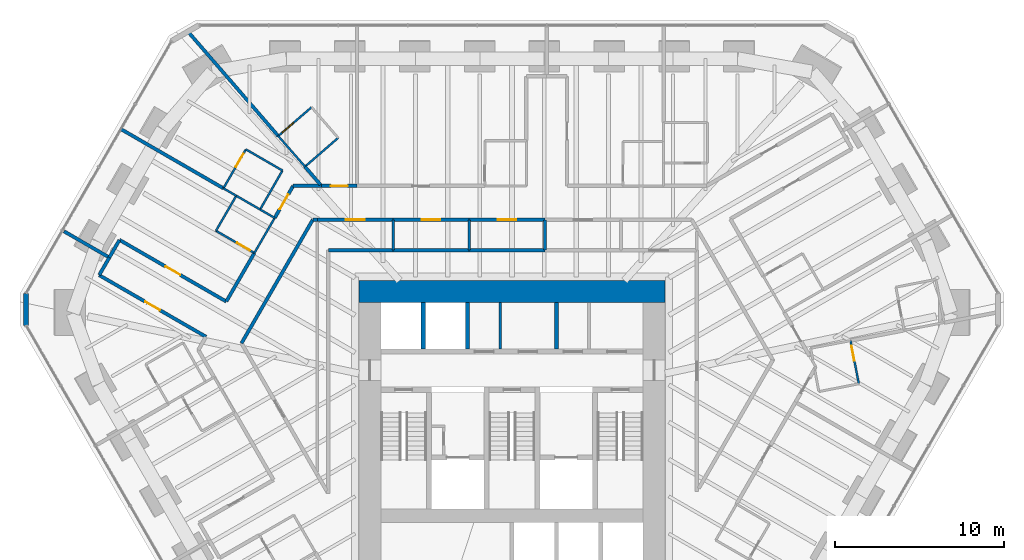
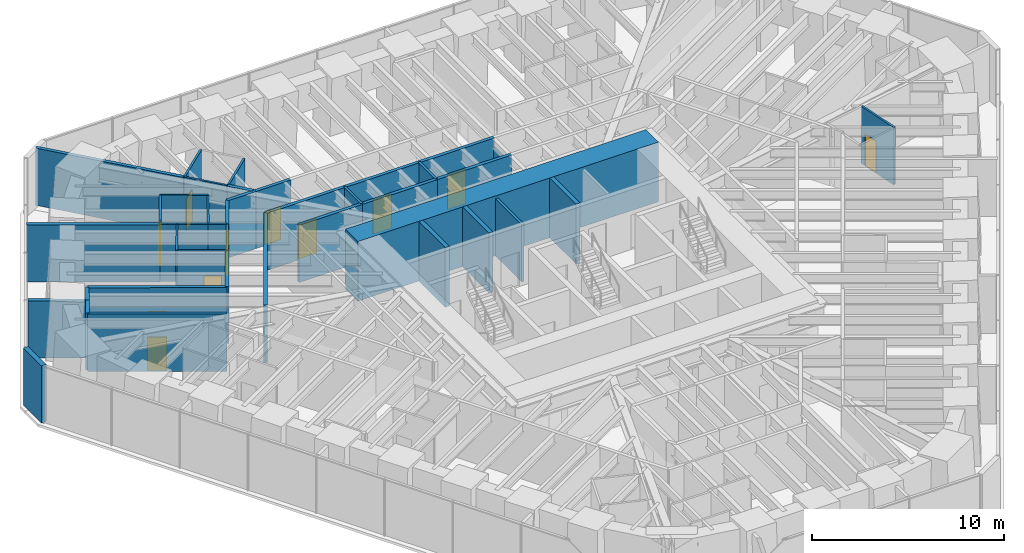
# One storey, part 14 of 17: 42 walls, 11 doors, 11 openings.
"""IFC4 building model written with IfcOpenShell, lengths in metres."""

from ifc_helpers import new_model, si_unit, direction, frame, frame_2d, origin, place, context, subcontext, project, spatial, rectangle, extrude, material, layer, layer_set, type_object, element, fill, save


model = new_model("IFC4")

# Units and contexts
model_context = context("Model", 3, precision=1e-05, world=origin(), true_north=direction((0.0, 1.0)))
body_context = subcontext(model_context, "Body", "Model", "MODEL_VIEW")
ifc_project = project(units=[si_unit("LENGTHUNIT", "METRE"), si_unit("AREAUNIT", "SQUARE_METRE"), si_unit("VOLUMEUNIT", "CUBIC_METRE"), si_unit("PLANEANGLEUNIT", "RADIAN"), si_unit("MASSUNIT", "GRAM", prefix="KILO")], contexts=[model_context])

# Site, building, storey
site_placement = place(None, origin())
site = spatial("IfcSite", under=ifc_project, at=site_placement, CompositionType="ELEMENT")
building_placement = place(site_placement, origin())
building = spatial("IfcBuilding", under=site, at=building_placement, Name="Sandreach Pilgrim Tower", CompositionType="ELEMENT")
storey_placement = place(building_placement, frame((0.0, 0.0, 161.39990234375)))
storey = spatial("IfcBuildingStorey", under=building, at=storey_placement, Name="L40", CompositionType="ELEMENT", Elevation=161.39990234375)

# Walls
ifc_material_1 = material(Name="Gypsum board on steel studs", Category="steel")
ifc_layer_1 = layer(ifc_material_1, 0.14990234375)
ifc_layer_set_1 = layer_set([ifc_layer_1], Name="Back of house wall 150")
wall_type_1 = type_object("IfcWallType", Name="Back of house wall 150", PredefinedType="PARTITIONING", material=ifc_layer_set_1)
for number, where, z_axis, x_axis, name in (
    (1, (-7.02001953125, 10.989990234375, 0.0), (0.0, 0.0, 1.0), (0.0, -1.0, 0.0), "Back of house wall L40-064"),
    (2, (-2.530029296875, 10.989990234375, 0.0), (0.0, 0.0, 1.0), (0.0, -1.0, 0.0), "Back of house wall L40-083"),
):
    element("IfcWall", number, at=place(storey_placement, frame(where, z_axis=z_axis, x_axis=x_axis)), inside=storey, type_object=wall_type_1, Name=name, PredefinedType="PARTITIONING", context=body_context, shape_type="SweptSolid", body=[
        extrude(rectangle(XDim=1.7900390625, YDim=0.14990234375, at=frame_2d((0.89501953125, 0.0))), origin(), (0.0, 0.0, 1.0), 3.64013671875),
    ])
wall_1_placement = place(storey_placement, frame((1.949951171875, 10.989990234375, 0.0), z_axis=(0.0, 0.0, 1.0), x_axis=(0.0, -1.0, 0.0)))
element("IfcWall", 3, at=wall_1_placement, inside=storey, type_object=wall_type_1, Name="Back of house wall L40-099", PredefinedType="PARTITIONING", context=body_context, shape_type="SweptSolid", body=[
    extrude(rectangle(XDim=1.7900390625, YDim=0.14990234375, at=frame_2d((0.89501953125, 0.0))), origin(), (0.0, 0.0, 1.0), 3.02294921875),
])
wall_2_placement = place(storey_placement, frame((-0.699951171875, 3.35009765625, 0.0), z_axis=(0.0, 0.0, 1.0), x_axis=(0.0, 1.0, 0.0)))
element("IfcWall", 4, at=wall_2_placement, inside=storey, type_object=wall_type_1, Name="Core room partition L40 1", PredefinedType="PARTITIONING", context=body_context, shape_type="SweptSolid", body=[
    extrude(rectangle(XDim=2.75, YDim=0.14990234375, at=frame_2d((1.375, 0.0))), origin(), (0.0, 0.0, 1.0), 3.64013671875),
])

# Wall, opening, door
ifc_material_2 = material(Name="Moisture-resistant gypsum board on steel studs", Category="steel")
ifc_layer_2 = layer(ifc_material_2, 0.1201171875)
ifc_layer_set_2 = layer_set([ifc_layer_2], Name="Bathroom partition 120")
wall_type_2 = type_object("IfcWallType", Name="Bathroom partition 120", PredefinedType="PARTITIONING", material=ifc_layer_set_2)
wall_3_placement = place(storey_placement, frame((-17.489990234375, 10.340087890625, 0.0), z_axis=(0.0, 0.0, 1.0), x_axis=(0.866114241029, -0.499846097802, 0.0)))
wall_3 = element("IfcWall", 5, at=wall_3_placement, inside=storey, type_object=wall_type_2, Name="Bathroom partition L40-022", PredefinedType="PARTITIONING", context=body_context, shape_type="SweptSolid", body=[
    extrude(rectangle(XDim=2.620849609375, YDim=0.1201171875, at=frame_2d((1.310546875, 0.0))), origin(), (0.0, 0.0, 1.0), 3.64013671875),
])
opening_1_placement = place(wall_3_placement, frame((1.4208984375, 0.0, 0.0)))
opening_1 = element("IfcOpeningElement", 6, at=opening_1_placement, cuts=wall_3, Name="Opening D09-17B", PredefinedType="OPENING", context=body_context, shape_type="SweptSolid", body=[
    extrude(rectangle(XDim=0.89990234375, YDim=2.030029296875, at=frame_2d((0.449951171875, 1.01513671875))), frame((0.0, 0.06005859375, 0.0), z_axis=(0.0, -1.0, 0.0), x_axis=(1.0, 0.0, 0.0)), (0.0, 0.0, 1.0), 0.1201171875),
])
ifc_material_3 = material(Name="Timber door, steel frame", Category="steel")
door_type_1 = type_object("IfcDoorType", Name="Bathroom door", OperationType="SINGLE_SWING_LEFT", PredefinedType="DOOR", material=ifc_material_3)
door_1_placement = place(opening_1_placement, origin())
door_1 = element("IfcDoor", 7, at=door_1_placement, inside=storey, type_object=door_type_1, Name="Door 4017B", OperationType="SINGLE_SWING_RIGHT", OverallHeight=2.030029296875, OverallWidth=0.89990234375, PredefinedType="DOOR", context=body_context, shape_type="SweptSolid", body=[
    extrude(rectangle(XDim=0.89990234375, YDim=2.030029296875, at=frame_2d((0.449951171875, 1.01513671875))), frame((0.0, 0.02490234375, 0.0), z_axis=(0.0, -1.0, 0.0), x_axis=(1.0, 0.0, 0.0)), (0.0, 0.0, 1.0), 0.050048828125),
])
fill(opening_1, door_1)

# Walls
wall_4_placement = place(storey_placement, frame((-17.050537109375, 12.849365234375, 0.0), z_axis=(0.0, 0.0, 1.0), x_axis=(0.865838315616, -0.500323906295, 0.0)))
element("IfcWall", 8, at=wall_4_placement, inside=storey, type_object=wall_type_2, Name="Bathroom partition L40-024", PredefinedType="PARTITIONING", context=body_context, shape_type="SweptSolid", body=[
    extrude(rectangle(XDim=0.87841796875, YDim=0.1201171875, at=frame_2d((0.439208984375, 0.0))), origin(), (0.0, 0.0, 1.0), 3.64013671875),
])
wall_5_placement = place(storey_placement, frame((-16.2900390625, 12.409912109375, 0.0), z_axis=(0.0, 0.0, 1.0), x_axis=(-0.501547039172, -0.865130376012, 0.0)))
element("IfcWall", 9, at=wall_5_placement, inside=storey, type_object=wall_type_2, Name="Bathroom partition L40-028", PredefinedType="PARTITIONING", context=body_context, shape_type="SweptSolid", body=[
    extrude(rectangle(XDim=2.392578125, YDim=0.1201171875, at=frame_2d((1.1962890625, 0.0))), origin(), (0.0, 0.0, 1.0), 3.64013671875),
])
wall_6_placement = place(storey_placement, frame((-16.2900390625, 12.409912109375, 0.0), z_axis=(0.0, 0.0, 1.0), x_axis=(0.866138091645, -0.499804768086, 0.0)))
element("IfcWall", 10, at=wall_6_placement, inside=storey, type_object=wall_type_2, Name="Bathroom partition L40-029", PredefinedType="PARTITIONING", context=body_context, shape_type="SweptSolid", body=[
    extrude(rectangle(XDim=1.626220703125, YDim=0.1201171875, at=frame_2d((0.81298828125, 0.0))), origin(), (0.0, 0.0, 1.0), 3.64013671875),
])

# Wall, opening, door
wall_7_placement = place(storey_placement, frame((-15.719970703125, 15.14990234375, 0.0), z_axis=(0.0, 0.0, 1.0), x_axis=(-0.500605174168, -0.865675724273, 0.0)))
wall_7 = element("IfcWall", 11, at=wall_7_placement, inside=storey, type_object=wall_type_2, Name="Bathroom partition L40-031", PredefinedType="PARTITIONING", context=body_context, shape_type="SweptSolid", body=[
    extrude(rectangle(XDim=2.656982421875, YDim=0.1201171875, at=frame_2d((1.32861328125, 0.0))), origin(), (0.0, 0.0, 1.0), 3.64013671875),
])
opening_2_placement = place(wall_7_placement, frame((0.300048828125, 0.0, 0.0)))
opening_2 = element("IfcOpeningElement", 12, at=opening_2_placement, cuts=wall_7, Name="Opening D09-18B", PredefinedType="OPENING", context=body_context, shape_type="SweptSolid", body=[
    extrude(rectangle(XDim=0.89990234375, YDim=2.030029296875, at=frame_2d((0.449951171875, 1.01513671875))), frame((0.0, 0.06005859375, 0.0), z_axis=(0.0, -1.0, 0.0), x_axis=(1.0, 0.0, 0.0)), (0.0, 0.0, 1.0), 0.1201171875),
])
door_2_placement = place(opening_2_placement, origin())
door_2 = element("IfcDoor", 13, at=door_2_placement, inside=storey, type_object=door_type_1, Name="Door 4018B", OperationType="SINGLE_SWING_LEFT", OverallHeight=2.030029296875, OverallWidth=0.89990234375, PredefinedType="DOOR", context=body_context, shape_type="SweptSolid", body=[
    extrude(rectangle(XDim=0.89990234375, YDim=2.030029296875, at=frame_2d((0.449951171875, 1.01513671875))), frame((0.0, 0.02490234375, 0.0), z_axis=(0.0, -1.0, 0.0), x_axis=(1.0, 0.0, 0.0)), (0.0, 0.0, 1.0), 0.050048828125),
])
fill(opening_2, door_2)

# Walls
wall_8_placement = place(storey_placement, frame((-15.219970703125, 9.030029296875, 0.0), z_axis=(0.0, 0.0, 1.0), x_axis=(0.501502765098, 0.865156041763, 0.0)))
element("IfcWall", 14, at=wall_8_placement, inside=storey, type_object=wall_type_2, Name="Bathroom partition L40-032", PredefinedType="PARTITIONING", context=body_context, shape_type="SweptSolid", body=[
    extrude(rectangle(XDim=2.392822265625, YDim=0.1201171875, at=frame_2d((1.1962890625, 0.0))), origin(), (0.0, 0.0, 1.0), 3.64013671875),
])
wall_9_placement = place(storey_placement, frame((-14.881591796875, 11.59716796875, 0.0), z_axis=(0.0, 0.0, 1.0), x_axis=(0.866181499781, -0.499729536286, 0.0)))
element("IfcWall", 15, at=wall_9_placement, inside=storey, type_object=wall_type_2, Name="Bathroom partition L40-034", PredefinedType="PARTITIONING", context=body_context, shape_type="SweptSolid", body=[
    extrude(rectangle(XDim=0.99462890625, YDim=0.1201171875, at=frame_2d((0.497314453125, 0.0))), origin(), (0.0, 0.0, 1.0), 3.64013671875),
])
wall_10_placement = place(storey_placement, frame((-14.8798828125, 11.60009765625, 0.0), z_axis=(0.0, 0.0, 1.0), x_axis=(0.497704656183, 0.867346571569, 0.0)))
element("IfcWall", 16, at=wall_10_placement, inside=storey, type_object=wall_type_2, Name="Bathroom partition L40-035", PredefinedType="PARTITIONING", context=body_context, shape_type="SweptSolid", body=[
    extrude(rectangle(XDim=2.65185546875, YDim=0.1201171875, at=frame_2d((1.325927734375, 0.0))), origin(), (0.0, 0.0, 1.0), 3.64013671875),
])
wall_11_placement = place(storey_placement, frame((-13.81005859375, 15.93994140625, 0.0), z_axis=(0.0, 0.0, 1.0), x_axis=(0.657626528627, -0.753344110514, 0.0)))
element("IfcWall", 17, at=wall_11_placement, inside=storey, type_object=wall_type_2, Name="Bathroom partition L40-039", PredefinedType="PARTITIONING", context=body_context, shape_type="SweptSolid", body=[
    extrude(rectangle(XDim=2.402587890625, YDim=0.1201171875, at=frame_2d((1.201171875, 0.0))), origin(), (0.0, 0.0, 1.0), 3.64013671875),
])
wall_12_placement = place(storey_placement, frame((-13.56005859375, 13.89990234375, 0.0), z_axis=(0.0, 0.0, 1.0), x_axis=(-0.865508881864, 0.500893576935, 0.0)))
element("IfcWall", 18, at=wall_12_placement, inside=storey, type_object=wall_type_2, Name="Bathroom partition L40-041", PredefinedType="PARTITIONING", context=body_context, shape_type="SweptSolid", body=[
    extrude(rectangle(XDim=2.49560546875, YDim=0.1201171875, at=frame_2d((1.247802734375, 0.0))), origin(), (0.0, 0.0, 1.0), 3.64013671875),
])
wall_13_placement = place(storey_placement, frame((-12.22998046875, 14.1298828125, 0.0), z_axis=(0.0, 0.0, 1.0), x_axis=(0.755390958893, 0.655274369423, 0.0)))
element("IfcWall", 19, at=wall_13_placement, inside=storey, type_object=wall_type_2, Name="Bathroom partition L40-045", PredefinedType="PARTITIONING", context=body_context, shape_type="SweptSolid", body=[
    extrude(rectangle(XDim=2.5947265625, YDim=0.1201171875, at=frame_2d((1.29736328125, 0.0))), origin(), (0.0, 0.0, 1.0), 3.64013671875),
])

# Wall, opening, door
wall_14_placement = place(storey_placement, frame((-11.840087890625, 17.639892578125, 0.0), z_axis=(0.0, 0.0, 1.0), x_axis=(-0.757086659925, -0.653314464377, 0.0)))
wall_14 = element("IfcWall", 20, at=wall_14_placement, inside=storey, type_object=wall_type_2, Name="Bathroom partition L40-046", PredefinedType="PARTITIONING", context=body_context, shape_type="SweptSolid", body=[
    extrude(rectangle(XDim=2.60205078125, YDim=0.1201171875, at=frame_2d((1.301025390625, 0.0))), origin(), (0.0, 0.0, 1.0), 3.64013671875),
])
opening_3_placement = place(wall_14_placement, frame((1.402099609375, 0.0, 0.0)))
opening_3 = element("IfcOpeningElement", 21, at=opening_3_placement, cuts=wall_14, Name="Opening D09-01B", PredefinedType="OPENING", context=body_context, shape_type="SweptSolid", body=[
    extrude(rectangle(XDim=0.89990234375, YDim=2.030029296875, at=frame_2d((0.449951171875, 1.01513671875))), frame((0.0, 0.06005859375, 0.0), z_axis=(0.0, -1.0, 0.0), x_axis=(1.0, 0.0, 0.0)), (0.0, 0.0, 1.0), 0.1201171875),
])
door_3_placement = place(opening_3_placement, origin())
door_3 = element("IfcDoor", 22, at=door_3_placement, inside=storey, type_object=door_type_1, Name="Door 4001B", OperationType="SINGLE_SWING_RIGHT", OverallHeight=2.030029296875, OverallWidth=0.89990234375, PredefinedType="DOOR", context=body_context, shape_type="SweptSolid", body=[
    extrude(rectangle(XDim=0.89990234375, YDim=2.030029296875, at=frame_2d((0.449951171875, 1.01513671875))), frame((0.0, 0.02490234375, 0.0), z_axis=(0.0, -1.0, 0.0), x_axis=(1.0, 0.0, 0.0)), (0.0, 0.0, 1.0), 0.050048828125),
])
fill(opening_3, door_3)

wall_15_placement = place(storey_placement, frame((20.489990234375, 1.300048828125, 0.0), z_axis=(0.0, 0.0, 1.0), x_axis=(-0.188697442844, 0.982035271802, 0.0)))
wall_15 = element("IfcWall", 23, at=wall_15_placement, inside=storey, type_object=wall_type_2, Name="Bathroom partition L40-174", PredefinedType="PARTITIONING", context=body_context, shape_type="SweptSolid", body=[
    extrude(rectangle(XDim=2.5966796875, YDim=0.1201171875, at=frame_2d((1.29833984375, 0.0))), origin(), (0.0, 0.0, 1.0), 3.64013671875),
])
opening_4_placement = place(wall_15_placement, frame((1.396728515625, 0.0, 0.0)))
opening_4 = element("IfcOpeningElement", 24, at=opening_4_placement, cuts=wall_15, Name="Opening D09-07B", PredefinedType="OPENING", context=body_context, shape_type="SweptSolid", body=[
    extrude(rectangle(XDim=0.89990234375, YDim=2.030029296875, at=frame_2d((0.449951171875, 1.01513671875))), frame((0.0, 0.06005859375, 0.0), z_axis=(0.0, -1.0, 0.0), x_axis=(1.0, 0.0, 0.0)), (0.0, 0.0, 1.0), 0.1201171875),
])
door_4_placement = place(opening_4_placement, origin())
door_4 = element("IfcDoor", 25, at=door_4_placement, inside=storey, type_object=door_type_1, Name="Door 4007B", OperationType="SINGLE_SWING_RIGHT", OverallHeight=2.030029296875, OverallWidth=0.89990234375, PredefinedType="DOOR", context=body_context, shape_type="SweptSolid", body=[
    extrude(rectangle(XDim=0.89990234375, YDim=2.030029296875, at=frame_2d((0.449951171875, 1.01513671875))), frame((0.0, 0.02490234375, 0.0), z_axis=(0.0, -1.0, 0.0), x_axis=(1.0, 0.0, 0.0)), (0.0, 0.0, 1.0), 0.050048828125),
])
fill(opening_4, door_4)

# Wall
ifc_material_4 = material(Name="Concrete 10000 psi", Category="concrete")
ifc_layer_3 = layer(ifc_material_4, 1.300048828125)
ifc_layer_set_3 = layer_set([ifc_layer_3], Name="Core wall 1300")
wall_type_3 = type_object("IfcWallType", Name="Core wall 1300", PredefinedType="SHEAR", material=ifc_layer_set_3)
wall_16_placement = place(storey_placement, frame((-9.050048828125, 6.75, 0.0), z_axis=(0.0, 0.0, 1.0), x_axis=(1.0, 0.0, 0.0)))
element("IfcWall", 26, at=wall_16_placement, inside=storey, type_object=wall_type_3, Name="Core wall N L40", PredefinedType="SHEAR", context=body_context, shape_type="SweptSolid", body=[
    extrude(rectangle(XDim=18.10009765625, YDim=1.300048828125, at=frame_2d((9.050048828125, 0.0))), origin(), (0.0, 0.0, 1.0), 3.800048828125),
])

# Wall, opening, door
ifc_material_5 = material(Name="Gypsum board on steel studs, two layers each side", Category="steel")
ifc_layer_4 = layer(ifc_material_5, 0.199951171875)
ifc_layer_set_4 = layer_set([ifc_layer_4], Name="Corridor wall 200")
wall_type_4 = type_object("IfcWallType", Name="Corridor wall 200", PredefinedType="PARTITIONING", material=ifc_layer_set_4)
wall_17_placement = place(storey_placement, frame((-24.389892578125, 7.719970703125, 0.0), z_axis=(0.0, 0.0, 1.0), x_axis=(0.86620846199, -0.499682799761, 0.0)))
wall_17 = element("IfcWall", 27, at=wall_17_placement, inside=storey, type_object=wall_type_4, Name="Corridor wall L40-003", PredefinedType="PARTITIONING", context=body_context, shape_type="SweptSolid", body=[
    extrude(rectangle(XDim=7.284423828125, YDim=0.199951171875, at=frame_2d((3.64208984375, 0.0))), origin(), (0.0, 0.0, 1.0), 3.64013671875),
])
opening_5_placement = place(wall_17_placement, frame((3.142333984375, 0.0, 0.0)))
opening_5 = element("IfcOpeningElement", 28, at=opening_5_placement, cuts=wall_17, Name="Opening D10-16", PredefinedType="OPENING", context=body_context, shape_type="SweptSolid", body=[
    extrude(rectangle(XDim=1.0, YDim=2.1298828125, at=frame_2d((0.5, 1.06494140625))), frame((0.0, 0.10009765625, 0.0), z_axis=(0.0, -1.0, 0.0), x_axis=(1.0, 0.0, 0.0)), (0.0, 0.0, 1.0), 0.199951171875),
])
ifc_material_6 = material(Name="Steel door and frame", Category="steel")
door_type_2 = type_object("IfcDoorType", Name="Guest room entry door", OperationType="SINGLE_SWING_LEFT", PredefinedType="DOOR", material=ifc_material_6)
door_5_placement = place(opening_5_placement, origin())
door_5 = element("IfcDoor", 29, at=door_5_placement, inside=storey, type_object=door_type_2, Name="Door 4016", OperationType="SINGLE_SWING_LEFT", OverallHeight=2.1298828125, OverallWidth=1.0, PredefinedType="DOOR", context=body_context, shape_type="SweptSolid", body=[
    extrude(rectangle(XDim=1.0, YDim=2.1298828125, at=frame_2d((0.5, 1.06494140625))), frame((0.0, 0.02490234375, 0.0), z_axis=(0.0, -1.0, 0.0), x_axis=(1.0, 0.0, 0.0)), (0.0, 0.0, 1.0), 0.050048828125),
])
fill(opening_5, door_5)

# Walls
wall_18_placement = place(storey_placement, frame((-23.7900390625, 8.760009765625, 0.0), z_axis=(0.0, 0.0, 1.0), x_axis=(-0.499704629046, -0.866195869137, 0.0)))
element("IfcWall", 30, at=wall_18_placement, inside=storey, type_object=wall_type_4, Name="Corridor wall L40-004", PredefinedType="PARTITIONING", context=body_context, shape_type="SweptSolid", body=[
    extrude(rectangle(XDim=1.185791015625, YDim=0.199951171875, at=frame_2d((0.5927734375, 0.0))), origin(), (0.0, 0.0, 1.0), 3.64013671875),
])
wall_19_placement = place(storey_placement, frame((-23.195068359375, 9.791259765625, 0.0), z_axis=(0.0, 0.0, 1.0), x_axis=(-0.499734288277, -0.866178758179, 0.0)))
element("IfcWall", 31, at=wall_19_placement, inside=storey, type_object=wall_type_4, Name="Corridor wall L40-005", PredefinedType="PARTITIONING", context=body_context, shape_type="SweptSolid", body=[
    extrude(rectangle(XDim=1.190673828125, YDim=0.199951171875, at=frame_2d((0.59521484375, 0.0))), origin(), (0.0, 0.0, 1.0), 3.64013671875),
])

# Wall, opening, door
wall_20_placement = place(storey_placement, frame((-16.8798828125, 6.159912109375, 0.0), z_axis=(0.0, 0.0, 1.0), x_axis=(-0.866202323954, 0.499693439997, 0.0)))
wall_20 = element("IfcWall", 32, at=wall_20_placement, inside=storey, type_object=wall_type_4, Name="Corridor wall L40-025", PredefinedType="PARTITIONING", context=body_context, shape_type="SweptSolid", body=[
    extrude(rectangle(XDim=7.28466796875, YDim=0.199951171875, at=frame_2d((3.642333984375, 0.0))), origin(), (0.0, 0.0, 1.0), 3.64013671875),
])
opening_6_placement = place(wall_20_placement, frame((3.142333984375, 0.0, 0.0)))
opening_6 = element("IfcOpeningElement", 33, at=opening_6_placement, cuts=wall_20, Name="Opening D10-17", PredefinedType="OPENING", context=body_context, shape_type="SweptSolid", body=[
    extrude(rectangle(XDim=1.0, YDim=2.1298828125, at=frame_2d((0.5, 1.06494140625))), frame((0.0, 0.10009765625, 0.0), z_axis=(0.0, -1.0, 0.0), x_axis=(1.0, 0.0, 0.0)), (0.0, 0.0, 1.0), 0.199951171875),
])
door_6_placement = place(opening_6_placement, origin())
door_6 = element("IfcDoor", 34, at=door_6_placement, inside=storey, type_object=door_type_2, Name="Door 4017", OperationType="SINGLE_SWING_LEFT", OverallHeight=2.1298828125, OverallWidth=1.0, PredefinedType="DOOR", context=body_context, shape_type="SweptSolid", body=[
    extrude(rectangle(XDim=1.0, YDim=2.1298828125, at=frame_2d((0.5, 1.06494140625))), frame((0.0, 0.02490234375, 0.0), z_axis=(0.0, -1.0, 0.0), x_axis=(1.0, 0.0, 0.0)), (0.0, 0.0, 1.0), 0.050048828125),
])
fill(opening_6, door_6)

# Walls
wall_21_placement = place(storey_placement, frame((-16.875, 6.168701171875, 0.0), z_axis=(0.0, 0.0, 1.0), x_axis=(0.500689767595, 0.865626799854, 0.0)))
element("IfcWall", 35, at=wall_21_placement, inside=storey, type_object=wall_type_4, Name="Corridor wall L40-026", PredefinedType="PARTITIONING", context=body_context, shape_type="SweptSolid", body=[
    extrude(rectangle(XDim=3.305419921875, YDim=0.199951171875, at=frame_2d((1.65283203125, 0.0))), origin(), (0.0, 0.0, 1.0), 3.64013671875),
])
wall_22_placement = place(storey_placement, frame((-15.97998046875, 3.699951171875, 0.0), z_axis=(0.0, 0.0, 1.0), x_axis=(0.500093981358, 0.865971136822, 0.0)))
element("IfcWall", 36, at=wall_22_placement, inside=storey, type_object=wall_type_4, Name="Corridor wall L40-030", PredefinedType="PARTITIONING", context=body_context, shape_type="SweptSolid", body=[
    extrude(rectangle(XDim=8.41845703125, YDim=0.199951171875, at=frame_2d((4.209228515625, 0.0))), origin(), (0.0, 0.0, 1.0), 3.64013671875),
])

# Wall, opening, door
wall_23_placement = place(storey_placement, frame((-14.02001953125, 11.10009765625, 0.0), z_axis=(0.0, 0.0, 1.0), x_axis=(0.499641723021, 0.866232156305, 0.0)))
wall_23 = element("IfcWall", 37, at=wall_23_placement, inside=storey, type_object=wall_type_4, Name="Corridor wall L40-038", PredefinedType="PARTITIONING", context=body_context, shape_type="SweptSolid", body=[
    extrude(rectangle(XDim=2.181640625, YDim=0.199951171875, at=frame_2d((1.0908203125, 0.0))), origin(), (0.0, 0.0, 1.0), 3.64013671875),
])
opening_7_placement = place(wall_23_placement, frame((0.5908203125, 0.0, 0.0)))
opening_7 = element("IfcOpeningElement", 38, at=opening_7_placement, cuts=wall_23, Name="Opening D10-18", PredefinedType="OPENING", context=body_context, shape_type="SweptSolid", body=[
    extrude(rectangle(XDim=1.0, YDim=2.1298828125, at=frame_2d((0.5, 1.06494140625))), frame((0.0, 0.10009765625, 0.0), z_axis=(0.0, -1.0, 0.0), x_axis=(1.0, 0.0, 0.0)), (0.0, 0.0, 1.0), 0.199951171875),
])
door_7_placement = place(opening_7_placement, origin())
door_7 = element("IfcDoor", 39, at=door_7_placement, inside=storey, type_object=door_type_2, Name="Door 4018", OperationType="SINGLE_SWING_LEFT", OverallHeight=2.1298828125, OverallWidth=1.0, PredefinedType="DOOR", context=body_context, shape_type="SweptSolid", body=[
    extrude(rectangle(XDim=1.0, YDim=2.1298828125, at=frame_2d((0.5, 1.06494140625))), frame((0.0, 0.02490234375, 0.0), z_axis=(0.0, -1.0, 0.0), x_axis=(1.0, 0.0, 0.0)), (0.0, 0.0, 1.0), 0.050048828125),
])
fill(opening_7, door_7)

# Wall
wall_24_placement = place(storey_placement, frame((-11.77001953125, 10.989990234375, 0.0), z_axis=(0.0, 0.0, 1.0), x_axis=(1.0, 0.0, 0.0)))
element("IfcWall", 40, at=wall_24_placement, inside=storey, type_object=wall_type_4, Name="Corridor wall L40-047", PredefinedType="PARTITIONING", context=body_context, shape_type="SweptSolid", body=[
    extrude(rectangle(XDim=0.27001953125, YDim=0.199951171875, at=frame_2d((0.135009765625, 0.0))), origin(), (0.0, 0.0, 1.0), 3.64013671875),
])

# Wall, opening, door
wall_25_placement = place(storey_placement, frame((-11.5, 10.989990234375, 0.0), z_axis=(0.0, 0.0, 1.0), x_axis=(1.0, 0.0, 0.0)))
wall_25 = element("IfcWall", 41, at=wall_25_placement, inside=storey, type_object=wall_type_4, Name="Corridor wall L40-051", PredefinedType="PARTITIONING", context=body_context, shape_type="SweptSolid", body=[
    extrude(rectangle(XDim=4.47998046875, YDim=0.199951171875, at=frame_2d((2.239990234375, 0.0))), origin(), (0.0, 0.0, 1.0), 3.64013671875),
])
opening_8_placement = place(wall_25_placement, frame((1.68994140625, 0.0, 0.0)))
opening_8 = element("IfcOpeningElement", 42, at=opening_8_placement, cuts=wall_25, Name="Opening D11H-M02", PredefinedType="OPENING", context=body_context, shape_type="SweptSolid", body=[
    extrude(rectangle(XDim=1.10009765625, YDim=2.199951171875, at=frame_2d((0.550048828125, 1.10009765625))), frame((0.0, 0.10009765625, 0.0), z_axis=(0.0, -1.0, 0.0), x_axis=(1.0, 0.0, 0.0)), (0.0, 0.0, 1.0), 0.199951171875),
])
ifc_material_7 = material(Name="Steel door and frame", Category="steel")
door_type_3 = type_object("IfcDoorType", Name="Back of house door", OperationType="SINGLE_SWING_LEFT", PredefinedType="DOOR", material=ifc_material_7)
door_8_placement = place(opening_8_placement, origin())
door_8 = element("IfcDoor", 43, at=door_8_placement, inside=storey, type_object=door_type_3, Name="Door 40M02", OperationType="SINGLE_SWING_LEFT", OverallHeight=2.199951171875, OverallWidth=1.10009765625, PredefinedType="DOOR", context=body_context, shape_type="SweptSolid", body=[
    extrude(rectangle(XDim=1.10009765625, YDim=2.199951171875, at=frame_2d((0.550048828125, 1.10009765625))), frame((0.0, 0.02490234375, 0.0), z_axis=(0.0, -1.0, 0.0), x_axis=(1.0, 0.0, 0.0)), (0.0, 0.0, 1.0), 0.050048828125),
])
fill(opening_8, door_8)

# Wall
wall_26_placement = place(storey_placement, frame((-11.25, 12.989990234375, 0.0), z_axis=(0.0, 0.0, 1.0), x_axis=(-1.0, 0.0, 0.0)))
element("IfcWall", 44, at=wall_26_placement, inside=storey, type_object=wall_type_4, Name="Corridor wall L40-052", PredefinedType="PARTITIONING", context=body_context, shape_type="SweptSolid", body=[
    extrude(rectangle(XDim=1.679931640625, YDim=0.199951171875, at=frame_2d((0.83984375, 0.0))), origin(), (0.0, 0.0, 1.0), 3.64013671875),
])

# Wall, opening, door
wall_27_placement = place(storey_placement, frame((-9.159912109375, 12.989990234375, 0.0), z_axis=(0.0, 0.0, 1.0), x_axis=(-1.0, 0.0, 0.0)))
wall_27 = element("IfcWall", 45, at=wall_27_placement, inside=storey, type_object=wall_type_4, Name="Corridor wall L40-058", PredefinedType="PARTITIONING", context=body_context, shape_type="SweptSolid", body=[
    extrude(rectangle(XDim=2.090087890625, YDim=0.199951171875, at=frame_2d((1.044921875, 0.0))), origin(), (0.0, 0.0, 1.0), 3.64013671875),
])
opening_9_placement = place(wall_27_placement, frame((0.544921875, 0.0, 0.0)))
opening_9 = element("IfcOpeningElement", 46, at=opening_9_placement, cuts=wall_27, Name="Opening D10-01", PredefinedType="OPENING", context=body_context, shape_type="SweptSolid", body=[
    extrude(rectangle(XDim=1.0, YDim=2.1298828125, at=frame_2d((0.5, 1.06494140625))), frame((0.0, 0.10009765625, 0.0), z_axis=(0.0, -1.0, 0.0), x_axis=(1.0, 0.0, 0.0)), (0.0, 0.0, 1.0), 0.199951171875),
])
door_9_placement = place(opening_9_placement, origin())
door_9 = element("IfcDoor", 47, at=door_9_placement, inside=storey, type_object=door_type_2, Name="Door 4001", OperationType="SINGLE_SWING_LEFT", OverallHeight=2.1298828125, OverallWidth=1.0, PredefinedType="DOOR", context=body_context, shape_type="SweptSolid", body=[
    extrude(rectangle(XDim=1.0, YDim=2.1298828125, at=frame_2d((0.5, 1.06494140625))), frame((0.0, 0.02490234375, 0.0), z_axis=(0.0, -1.0, 0.0), x_axis=(1.0, 0.0, 0.0)), (0.0, 0.0, 1.0), 0.050048828125),
])
fill(opening_9, door_9)

# Wall
wall_28_placement = place(storey_placement, frame((-7.02001953125, 9.199951171875, 0.0), z_axis=(0.0, 0.0, 1.0), x_axis=(-1.0, 0.0, 0.0)))
element("IfcWall", 48, at=wall_28_placement, inside=storey, type_object=wall_type_4, Name="Corridor wall L40-063", PredefinedType="PARTITIONING", context=body_context, shape_type="SweptSolid", body=[
    extrude(rectangle(XDim=3.820068359375, YDim=0.199951171875, at=frame_2d((1.91015625, 0.0))), origin(), (0.0, 0.0, 1.0), 3.64013671875),
])

# Wall, opening, door
wall_29_placement = place(storey_placement, frame((-7.02001953125, 10.989990234375, 0.0), z_axis=(0.0, 0.0, 1.0), x_axis=(1.0, 0.0, 0.0)))
wall_29 = element("IfcWall", 49, at=wall_29_placement, inside=storey, type_object=wall_type_4, Name="Corridor wall L40-065", PredefinedType="PARTITIONING", context=body_context, shape_type="SweptSolid", body=[
    extrude(rectangle(XDim=4.489990234375, YDim=0.199951171875, at=frame_2d((2.2451171875, 0.0))), origin(), (0.0, 0.0, 1.0), 3.64013671875),
])
opening_10_placement = place(wall_29_placement, frame((1.695068359375, 0.0, 0.0)))
opening_10 = element("IfcOpeningElement", 50, at=opening_10_placement, cuts=wall_29, Name="Opening D11H-M03", PredefinedType="OPENING", context=body_context, shape_type="SweptSolid", body=[
    extrude(rectangle(XDim=1.10009765625, YDim=2.199951171875, at=frame_2d((0.550048828125, 1.10009765625))), frame((0.0, 0.10009765625, 0.0), z_axis=(0.0, -1.0, 0.0), x_axis=(1.0, 0.0, 0.0)), (0.0, 0.0, 1.0), 0.199951171875),
])
door_10_placement = place(opening_10_placement, origin())
door_10 = element("IfcDoor", 51, at=door_10_placement, inside=storey, type_object=door_type_3, Name="Door 40M03", OperationType="SINGLE_SWING_LEFT", OverallHeight=2.199951171875, OverallWidth=1.10009765625, PredefinedType="DOOR", context=body_context, shape_type="SweptSolid", body=[
    extrude(rectangle(XDim=1.10009765625, YDim=2.199951171875, at=frame_2d((0.550048828125, 1.10009765625))), frame((0.0, 0.02490234375, 0.0), z_axis=(0.0, -1.0, 0.0), x_axis=(1.0, 0.0, 0.0)), (0.0, 0.0, 1.0), 0.050048828125),
])
fill(opening_10, door_10)

# Wall
wall_30_placement = place(storey_placement, frame((-2.530029296875, 9.199951171875, 0.0), z_axis=(0.0, 0.0, 1.0), x_axis=(-1.0, 0.0, 0.0)))
element("IfcWall", 52, at=wall_30_placement, inside=storey, type_object=wall_type_4, Name="Corridor wall L40-082", PredefinedType="PARTITIONING", context=body_context, shape_type="SweptSolid", body=[
    extrude(rectangle(XDim=4.489990234375, YDim=0.199951171875, at=frame_2d((2.2451171875, 0.0))), origin(), (0.0, 0.0, 1.0), 3.64013671875),
])

# Wall, opening, door
wall_31_placement = place(storey_placement, frame((-2.530029296875, 10.989990234375, 0.0), z_axis=(0.0, 0.0, 1.0), x_axis=(1.0, 0.0, 0.0)))
wall_31 = element("IfcWall", 53, at=wall_31_placement, inside=storey, type_object=wall_type_4, Name="Corridor wall L40-084", PredefinedType="PARTITIONING", context=body_context, shape_type="SweptSolid", body=[
    extrude(rectangle(XDim=4.47998046875, YDim=0.199951171875, at=frame_2d((2.239990234375, 0.0))), origin(), (0.0, 0.0, 1.0), 3.64013671875),
])
opening_11_placement = place(wall_31_placement, frame((1.68994140625, 0.0, 0.0)))
opening_11 = element("IfcOpeningElement", 54, at=opening_11_placement, cuts=wall_31, Name="Opening D11H-M04", PredefinedType="OPENING", context=body_context, shape_type="SweptSolid", body=[
    extrude(rectangle(XDim=1.10009765625, YDim=2.199951171875, at=frame_2d((0.550048828125, 1.10009765625))), frame((0.0, 0.10009765625, 0.0), z_axis=(0.0, -1.0, 0.0), x_axis=(1.0, 0.0, 0.0)), (0.0, 0.0, 1.0), 0.199951171875),
])
door_11_placement = place(opening_11_placement, origin())
door_11 = element("IfcDoor", 55, at=door_11_placement, inside=storey, type_object=door_type_3, Name="Door 40M04", OperationType="SINGLE_SWING_LEFT", OverallHeight=2.199951171875, OverallWidth=1.10009765625, PredefinedType="DOOR", context=body_context, shape_type="SweptSolid", body=[
    extrude(rectangle(XDim=1.10009765625, YDim=2.199951171875, at=frame_2d((0.550048828125, 1.10009765625))), frame((0.0, 0.02490234375, 0.0), z_axis=(0.0, -1.0, 0.0), x_axis=(1.0, 0.0, 0.0)), (0.0, 0.0, 1.0), 0.050048828125),
])
fill(opening_11, door_11)

# Walls
wall_32_placement = place(storey_placement, frame((1.949951171875, 9.199951171875, 0.0), z_axis=(0.0, 0.0, 1.0), x_axis=(-1.0, 0.0, 0.0)))
element("IfcWall", 56, at=wall_32_placement, inside=storey, type_object=wall_type_4, Name="Corridor wall L40-098", PredefinedType="PARTITIONING", context=body_context, shape_type="SweptSolid", body=[
    extrude(rectangle(XDim=4.47998046875, YDim=0.199951171875, at=frame_2d((2.239990234375, 0.0))), origin(), (0.0, 0.0, 1.0), 3.64013671875),
])
ifc_material_8 = material(Name="Double steel stud acoustic wall, gypsum board", Category="steel")
ifc_layer_5 = layer(ifc_material_8, 0.199951171875)
ifc_layer_set_5 = layer_set([ifc_layer_5], Name="Party wall 200")
wall_type_5 = type_object("IfcWallType", Name="Party wall 200", PredefinedType="PARTITIONING", material=ifc_layer_set_5)
wall_33_placement = place(storey_placement, frame((-26.466064453125, 10.309814453125, 0.0), z_axis=(0.0, 0.0, 1.0), x_axis=(0.865362911021, -0.501145719556, 0.0)))
element("IfcWall", 57, at=wall_33_placement, inside=storey, type_object=wall_type_5, Name="Party wall L40-001", PredefinedType="PARTITIONING", context=body_context, shape_type="SweptSolid", body=[
    extrude(rectangle(XDim=3.077392578125, YDim=0.199951171875, at=frame_2d((1.53857421875, 0.0))), origin(), (0.0, 0.0, 1.0), 3.64013671875),
])
wall_34_placement = place(storey_placement, frame((-23.083984375, 16.3349609375, 0.0), z_axis=(0.0, 0.0, 1.0), x_axis=(0.865889693368, -0.500234983702, 0.0)))
element("IfcWall", 58, at=wall_34_placement, inside=storey, type_object=wall_type_5, Name="Party wall L40-006", PredefinedType="PARTITIONING", context=body_context, shape_type="SweptSolid", body=[
    extrude(rectangle(XDim=6.968017578125, YDim=0.199951171875, at=frame_2d((3.48388671875, 0.0))), origin(), (0.0, 0.0, 1.0), 3.64013671875),
])
wall_35_placement = place(storey_placement, frame((-19.160400390625, 22.127197265625, 0.0), z_axis=(0.0, 0.0, 1.0), x_axis=(0.654096091269, -0.756411464341, 0.0)))
element("IfcWall", 59, at=wall_35_placement, inside=storey, type_object=wall_type_5, Name="Party wall L40-013", PredefinedType="PARTITIONING", context=body_context, shape_type="SweptSolid", body=[
    extrude(rectangle(XDim=8.1796875, YDim=0.199951171875, at=frame_2d((4.08984375, 0.0))), origin(), (0.0, 0.0, 1.0), 3.64013671875),
])
wall_36_placement = place(storey_placement, frame((-12.232421875, 14.1279296875, 0.0), z_axis=(0.0, 0.0, 1.0), x_axis=(0.653452261281, -0.756967728656, 0.0)))
element("IfcWall", 60, at=wall_36_placement, inside=storey, type_object=wall_type_5, Name="Party wall L40-044", PredefinedType="PARTITIONING", context=body_context, shape_type="SweptSolid", body=[
    extrude(rectangle(XDim=1.4033203125, YDim=0.199951171875, at=frame_2d((0.70166015625, 0.0))), origin(), (0.0, 0.0, 1.0), 3.64013671875),
])
ifc_material_9 = material(Name="Gypsum shaft wall on steel studs, two layers of shaft liner board", Category="steel")
ifc_layer_6 = layer(ifc_material_9, 0.25)
ifc_layer_set_6 = layer_set([ifc_layer_6], Name="Shaft partition 250")
wall_type_6 = type_object("IfcWallType", Name="Shaft partition 250", PredefinedType="PARTITIONING", material=ifc_layer_set_6)
for number, where, z_axis, x_axis, name in (
    (61, (-5.25, 3.35009765625, 0.0), (0.0, 0.0, 1.0), (0.0, 1.0, 0.0), "Shaft partition NS0 L40"),
    (62, (-2.625, 3.35009765625, 0.0), (0.0, 0.0, 1.0), (0.0, 1.0, 0.0), "Shaft partition NS1 L40"),
    (63, (2.625, 3.35009765625, 0.0), (0.0, 0.0, 1.0), (0.0, 1.0, 0.0), "Shaft partition NS3 L40"),
):
    element("IfcWall", number, at=place(storey_placement, frame(where, z_axis=z_axis, x_axis=x_axis)), inside=storey, type_object=wall_type_6, Name=name, PredefinedType="PARTITIONING", context=body_context, shape_type="SweptSolid", body=[
        extrude(rectangle(XDim=2.75, YDim=0.25, at=frame_2d((1.375, 0.0))), origin(), (0.0, 0.0, 1.0), 3.800048828125),
    ])
ifc_material_10 = material(Name="Terracotta rainscreen on concrete", Category="masonry")
ifc_layer_7 = layer(ifc_material_10, 0.300048828125)
ifc_layer_set_7 = layer_set([ifc_layer_7], Name="Terracotta chamfer pier")
wall_type_7 = type_object("IfcWallType", Name="Terracotta chamfer pier", PredefinedType="SOLIDWALL", material=ifc_layer_set_7)
wall_37_placement = place(storey_placement, frame((-28.720947265625, 4.758544921875, 0.0), z_axis=(0.0, 0.0, 1.0), x_axis=(0.0, 1.0, 0.0)))
element("IfcWall", 64, at=wall_37_placement, inside=storey, type_object=wall_type_7, Name="Chamfer pier L40 SW", PredefinedType="SOLIDWALL", context=body_context, shape_type="SweptSolid", body=[
    extrude(rectangle(XDim=1.8798828125, YDim=0.300048828125, at=frame_2d((0.93994140625, 0.0))), origin(), (0.0, 0.0, 1.0), 3.64013671875),
])

save(model, "model.ifc")
